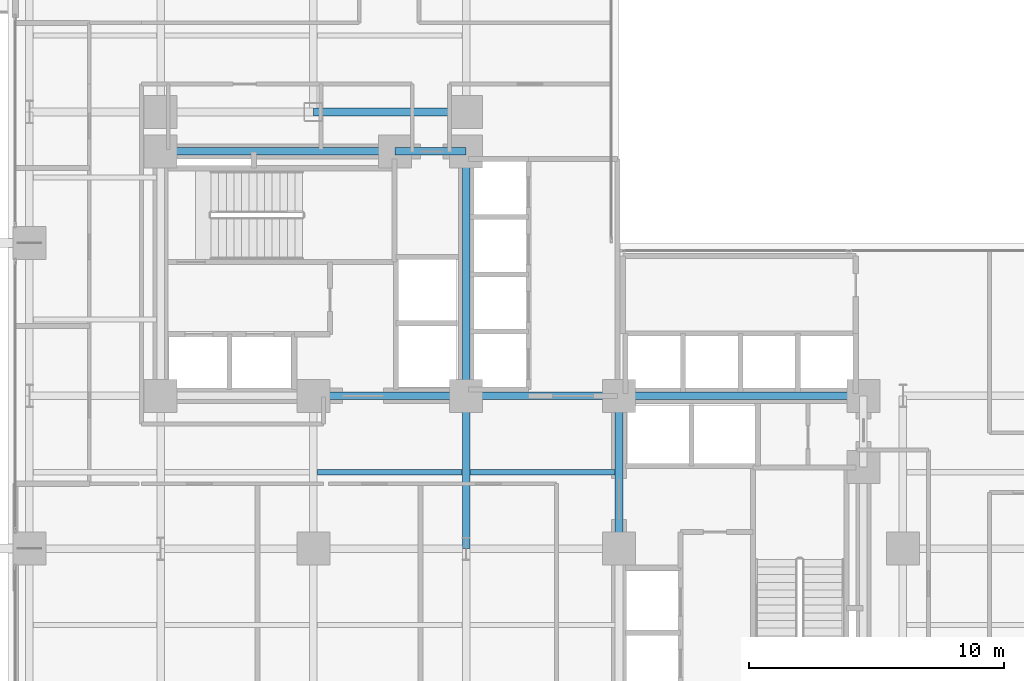
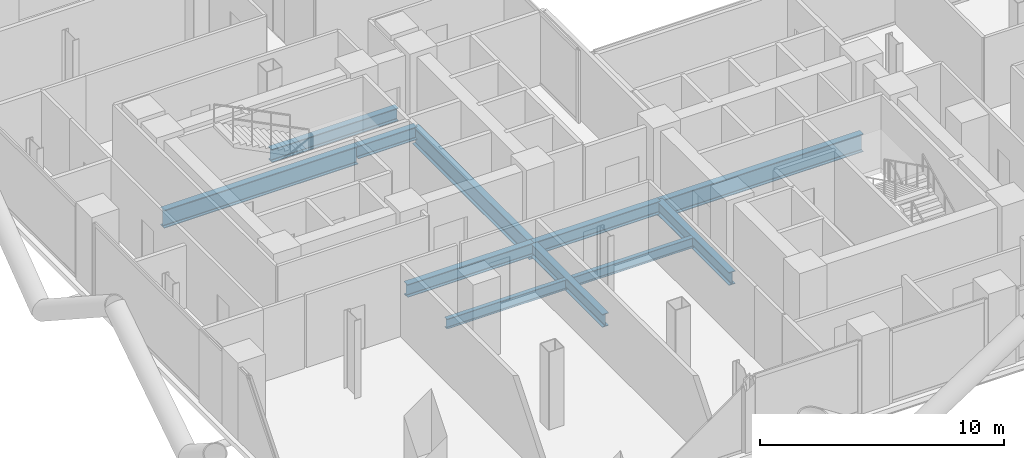
# One storey, part 6 of 27: 11 beams.
"""IFC4 building model written with IfcOpenShell, lengths in metres."""

from ifc_helpers import new_model, si_unit, direction, frame, origin, origin_2d, place, context, subcontext, project, spatial, i_section, extrude, material, material_profile, profile_set, type_object, element, save


model = new_model("IFC4")

# Units and contexts
model_context = context("Model", 3, precision=1e-05, world=origin(), true_north=direction((0.0, 1.0)))
body_context = subcontext(model_context, "Body", "Model", "MODEL_VIEW")
ifc_project = project(units=[si_unit("LENGTHUNIT", "METRE"), si_unit("AREAUNIT", "SQUARE_METRE"), si_unit("VOLUMEUNIT", "CUBIC_METRE"), si_unit("PLANEANGLEUNIT", "RADIAN"), si_unit("MASSUNIT", "GRAM", prefix="KILO"), si_unit("THERMODYNAMICTEMPERATUREUNIT", "KELVIN"), si_unit("POWERUNIT", "WATT")], contexts=[model_context])

# Site, building, storey
site_placement = place(None, origin())
site = spatial("IfcSite", under=ifc_project, at=site_placement, CompositionType="ELEMENT")
building_placement = place(site_placement, origin())
building = spatial("IfcBuilding", under=site, at=building_placement, Name="Svarakhadi Broadcast Tower", CompositionType="ELEMENT")
storey_placement = place(building_placement, frame((0.0, 0.0, 75.300048828125)))
storey = spatial("IfcBuildingStorey", under=building, at=storey_placement, Name="L17", CompositionType="ELEMENT", Elevation=75.300048828125)

# Beams
ifc_material_1 = material(Name="Steel S355J2 (IS 2062 E350C)", Category="steel")
ifc_material_profile_1 = material_profile(ifc_material_1, i_section(OverallWidth=0.199951171875, OverallDepth=0.5, WebThickness=0.01025390625, FlangeThickness=0.01611328125, FilletRadius=0.02099609375, at=origin_2d()), Name="NPB 500x200x91")
ifc_profile_set_1 = profile_set([ifc_material_profile_1], Name="Steel S355J2 (IS 2062 E350C)")
beam_type_1 = type_object("IfcBeamType", Name="Beam_NPB500", PredefinedType="BEAM", material=ifc_profile_set_1)
for number, where, z_axis, x_axis, name in (
    (1, (12.159912109375, 15.0, -0.5), (1.0, 0.0, 0.0), (0.0, 1.0, 0.0), "L17 Secondary Composite Beam SB015"),
    (2, (18.159912109375, 15.0, -0.5), (1.0, 0.0, 0.0), (0.0, 1.0, 0.0), "L17 Secondary Composite Beam SB021"),
):
    element("IfcBeam", number, at=place(storey_placement, frame(where, z_axis=z_axis, x_axis=x_axis)), inside=storey, type_object=beam_type_1, Name=name, PredefinedType="BEAM", context=body_context, shape_type="SweptSolid", body=[
        extrude(i_section(OverallWidth=0.199951171875, OverallDepth=0.5, WebThickness=0.01025390625, FlangeThickness=0.01611328125, FilletRadius=0.02099609375, at=origin_2d()), origin(), (0.0, 0.0, 1.0), 5.68017578125),
    ])
ifc_material_profile_2 = material_profile(ifc_material_1, i_section(OverallWidth=0.300048828125, OverallDepth=0.64990234375, WebThickness=0.01611328125, FlangeThickness=0.031005859375, FilletRadius=0.027099609375, at=origin_2d()), Name="WPB 650x300x225")
ifc_profile_set_2 = profile_set([ifc_material_profile_2], Name="Steel S355J2 (IS 2062 E350C)")
beam_type_2 = type_object("IfcBeamType", Name="Girder_WPB650", PredefinedType="USERDEFINED", material=ifc_profile_set_2)
for number, where, z_axis, x_axis, name in (
    (3, (12.0, 18.0, -0.574951171875), (1.0, 0.0, 0.0), (0.0, 1.0, 0.0), "L17 Primary E-W Girder G027"),
    (4, (18.0, 18.0, -0.574951171875), (1.0, 0.0, 0.0), (0.0, 1.0, 0.0), "L17 Primary E-W Girder G028"),
):
    element("IfcBeam", number, at=place(storey_placement, frame(where, z_axis=z_axis, x_axis=x_axis)), inside=storey, type_object=beam_type_2, Name=name, ObjectType="GIRDER", PredefinedType="USERDEFINED", context=body_context, shape_type="SweptSolid", body=[
        extrude(i_section(OverallWidth=0.300048828125, OverallDepth=0.64990234375, WebThickness=0.01611328125, FlangeThickness=0.031005859375, FilletRadius=0.027099609375, at=origin_2d()), origin(), (0.0, 0.0, 1.0), 6.0),
    ])
beam_1_placement = place(storey_placement, frame((15.199951171875, 27.60009765625, -0.574951171875), z_axis=(1.0, 0.0, 0.0), x_axis=(0.0, 1.0, 0.0)))
element("IfcBeam", 5, at=beam_1_placement, inside=storey, type_object=beam_type_2, Name="L17 Primary E-W Girder G033", ObjectType="GIRDER", PredefinedType="USERDEFINED", context=body_context, shape_type="SweptSolid", body=[
    extrude(i_section(OverallWidth=0.300048828125, OverallDepth=0.64990234375, WebThickness=0.01611328125, FlangeThickness=0.031005859375, FilletRadius=0.027099609375, at=origin_2d()), origin(), (0.0, 0.0, 1.0), 2.800048828125),
])
for number, where, z_axis, x_axis, name in (
    (6, (12.0, 29.14990234375, -0.574951171875), (1.0, 0.0, 0.0), (0.0, 1.0, 0.0), "L17 Primary E-W Girder G036"),
    (7, (18.0, 12.0, -0.574951171875), (0.0, 1.0, 0.0), (-1.0, 0.0, 0.0), "L17 Primary N-S Girder G066"),
    (8, (24.0, 12.0, -0.574951171875), (0.0, 1.0, 0.0), (-1.0, 0.0, 0.0), "L17 Primary N-S Girder G073"),
):
    element("IfcBeam", number, at=place(storey_placement, frame(where, z_axis=z_axis, x_axis=x_axis)), inside=storey, type_object=beam_type_2, Name=name, ObjectType="GIRDER", PredefinedType="USERDEFINED", context=body_context, shape_type="SweptSolid", body=[
        extrude(i_section(OverallWidth=0.300048828125, OverallDepth=0.64990234375, WebThickness=0.01611328125, FlangeThickness=0.031005859375, FilletRadius=0.027099609375, at=origin_2d()), origin(), (0.0, 0.0, 1.0), 6.0),
    ])
ifc_material_2 = material(Name="Steel S460ML (IS 2062 E450BR)", Category="steel")
ifc_material_profile_3 = material_profile(ifc_material_2, i_section(OverallWidth=0.300048828125, OverallDepth=0.89990234375, WebThickness=0.0185546875, FlangeThickness=0.034912109375, FilletRadius=0.030029296875, at=origin_2d()), Name="WPB 900x300x291")
ifc_profile_set_3 = profile_set([ifc_material_profile_3], Name="Steel S460ML (IS 2062 E450BR)")
beam_type_3 = type_object("IfcBeamType", Name="Girder_WPB900", PredefinedType="USERDEFINED", material=ifc_profile_set_3)
beam_2_placement = place(storey_placement, frame((24.0, 18.0, -0.699951171875), z_axis=(1.0, 0.0, 0.0), x_axis=(0.0, 1.0, 0.0)))
element("IfcBeam", 9, at=beam_2_placement, inside=storey, type_object=beam_type_3, Name="L17 Primary E-W Girder G029", ObjectType="GIRDER", PredefinedType="USERDEFINED", context=body_context, shape_type="SweptSolid", body=[
    extrude(i_section(OverallWidth=0.300048828125, OverallDepth=0.89990234375, WebThickness=0.0185546875, FlangeThickness=0.034912109375, FilletRadius=0.030029296875, at=origin_2d()), origin(), (0.0, 0.0, 1.0), 9.60009765625),
])
beam_3_placement = place(storey_placement, frame((6.0, 27.60009765625, -0.699951171875), z_axis=(1.0, 0.0, 0.0), x_axis=(0.0, 1.0, 0.0)))
element("IfcBeam", 10, at=beam_3_placement, inside=storey, type_object=beam_type_3, Name="L17 Primary E-W Girder G032", ObjectType="GIRDER", PredefinedType="USERDEFINED", context=body_context, shape_type="SweptSolid", body=[
    extrude(i_section(OverallWidth=0.300048828125, OverallDepth=0.89990234375, WebThickness=0.0185546875, FlangeThickness=0.034912109375, FilletRadius=0.030029296875, at=origin_2d()), origin(), (0.0, 0.0, 1.0), 9.199951171875),
])
beam_4_placement = place(storey_placement, frame((18.0, 18.0, -0.699951171875), z_axis=(0.0, 1.0, 0.0), x_axis=(-1.0, 0.0, 0.0)))
element("IfcBeam", 11, at=beam_4_placement, inside=storey, type_object=beam_type_3, Name="L17 Primary N-S Girder G067", ObjectType="GIRDER", PredefinedType="USERDEFINED", context=body_context, shape_type="SweptSolid", body=[
    extrude(i_section(OverallWidth=0.300048828125, OverallDepth=0.89990234375, WebThickness=0.0185546875, FlangeThickness=0.034912109375, FilletRadius=0.030029296875, at=origin_2d()), origin(), (0.0, 0.0, 1.0), 9.60009765625),
])

save(model, "model.ifc")
